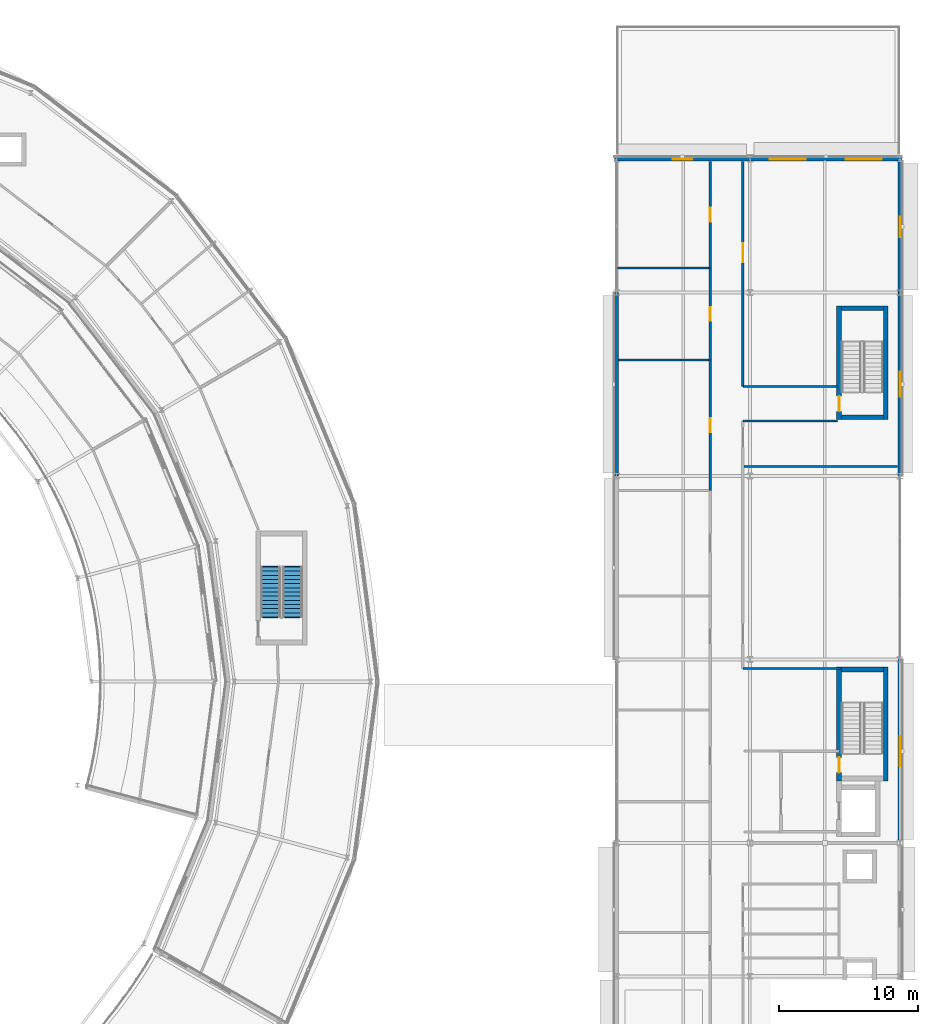
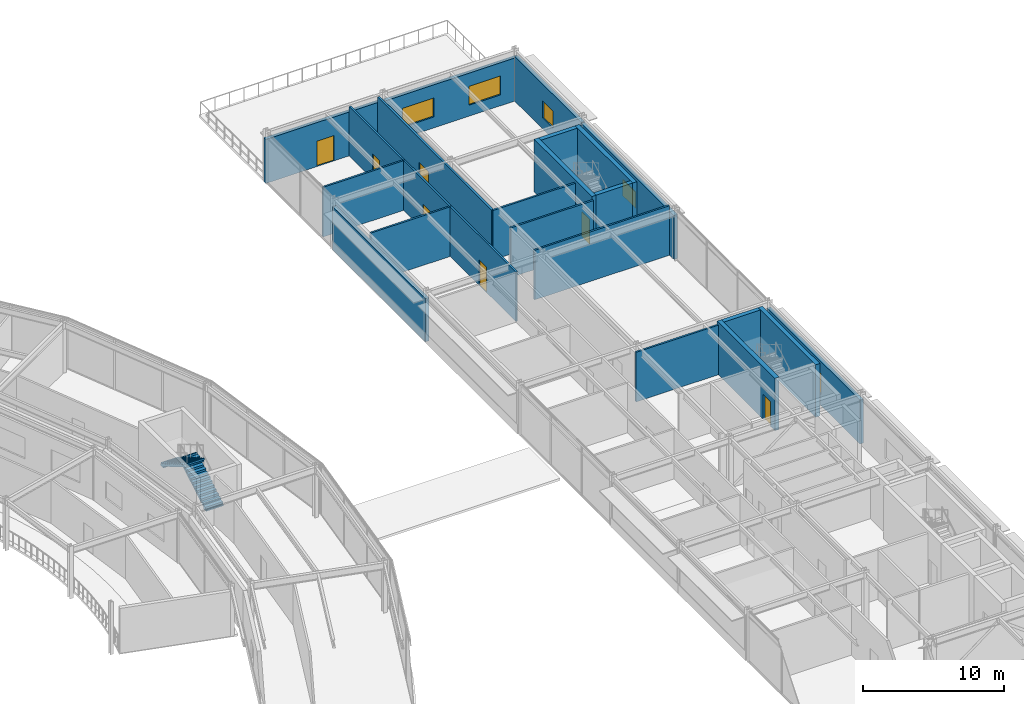
# One storey, part 110 of 133: 23 walls, 7 doors, 5 windows, 2 stair flights, 12 openings, 1 element without a shape of its own.
"""IFC4 building model written with IfcOpenShell, lengths in metres."""

from ifc_helpers import new_model, si_unit, direction, frame, frame_2d, origin, place, context, subcontext, project, spatial, polyline, rectangle, outline, extrude, material, layer, layer_set, type_object, element, fill, aggregate, save


model = new_model("IFC4")

# Units and contexts
model_context = context("Model", 3, precision=1e-05, world=origin(), true_north=direction((0.0, 1.0)))
body_context = subcontext(model_context, "Body", "Model", "MODEL_VIEW")
ifc_project = project(units=[si_unit("LENGTHUNIT", "METRE"), si_unit("AREAUNIT", "SQUARE_METRE"), si_unit("VOLUMEUNIT", "CUBIC_METRE"), si_unit("PLANEANGLEUNIT", "RADIAN"), si_unit("MASSUNIT", "GRAM", prefix="KILO")], contexts=[model_context])

# Site, building, storey
site_placement = place(None, origin())
site = spatial("IfcSite", under=ifc_project, at=site_placement, CompositionType="ELEMENT")
building_placement = place(site_placement, origin())
building = spatial("IfcBuilding", under=site, at=building_placement, Name="Almandine Court Research Institute", CompositionType="ELEMENT")
storey_placement = place(building_placement, frame((0.0, 0.0, 9.800048828125)))
storey = spatial("IfcBuildingStorey", under=building, at=storey_placement, Name="L02", CompositionType="ELEMENT", Elevation=9.800048828125)

# Wall
ifc_material_1 = material(Name="Insulated Ochre Terracotta Rainscreen Wall", Category="masonry")
ifc_layer_1 = layer(ifc_material_1, 0.2900390625)
ifc_layer_set_1 = layer_set([ifc_layer_1], Name="Insulated Ochre Terracotta Rainscreen Wall")
wall_type_1 = type_object("IfcWallType", Name="Wall-EXT-TERR-290", PredefinedType="SOLIDWALL", material=ifc_layer_set_1)
wall_1_placement = place(storey_placement, frame((153.60009765625, 70.803955078125, 0.0), z_axis=(0.0, 0.0, 1.0), x_axis=(0.0, 1.0, 0.0)))
element("IfcWall", 1, at=wall_1_placement, inside=storey, type_object=wall_type_1, Name="L02 Wet Lab West Facade Wall 7", PredefinedType="SOLIDWALL", context=body_context, shape_type="SweptSolid", body=[
    extrude(rectangle(XDim=13.192138671875, YDim=0.2900390625, at=frame_2d((6.59619140625, 0.0))), origin(), (0.0, 0.0, 1.0), 3.741943359375),
])

# Wall, opening, door
wall_2_placement = place(storey_placement, frame((153.455078125, 93.60009765625, 0.0), z_axis=(0.0, 0.0, 1.0), x_axis=(1.0, 0.0, 0.0)))
wall_2 = element("IfcWall", 2, at=wall_2_placement, inside=storey, type_object=wall_type_1, Name="L02 Wet Lab North Wall 1", PredefinedType="SOLIDWALL", context=body_context, shape_type="SweptSolid", body=[
    extrude(rectangle(XDim=9.740966796875, YDim=0.2900390625, at=frame_2d((4.87060546875, 0.0))), origin(), (0.0, 0.0, 1.0), 3.81103515625),
])
opening_1_placement = place(wall_2_placement, frame((4.199951171875, 0.0, 0.0)))
opening_1 = element("IfcOpeningElement", 3, at=opening_1_placement, cuts=wall_2, Name="Opening TD-01", PredefinedType="OPENING", context=body_context, shape_type="SweptSolid", body=[
    extrude(rectangle(XDim=1.39990234375, YDim=2.199951171875, at=frame_2d((0.699951171875, 1.10009765625))), frame((0.0, 0.155029296875, 0.0), z_axis=(0.0, -1.0, 0.0), x_axis=(1.0, 0.0, 0.0)), (0.0, 0.0, 1.0), 0.31005859375),
])
ifc_material_2 = material(Name="Thermally Broken Glazed Terrace Door")
door_type_1 = type_object("IfcDoorType", Name="Door-TER-1400", OperationType="DOUBLE_DOOR_SINGLE_SWING", PredefinedType="DOOR", material=ifc_material_2)
door_1_placement = place(opening_1_placement, origin())
door_1 = element("IfcDoor", 4, at=door_1_placement, inside=storey, type_object=door_type_1, Name="L02 Wet Lab North Roof Garden Door", OperationType="DOUBLE_DOOR_SINGLE_SWING", OverallHeight=2.199951171875, OverallWidth=1.39990234375, PredefinedType="DOOR", context=body_context, shape_type="SweptSolid", body=[
    extrude(rectangle(XDim=1.39990234375, YDim=2.199951171875, at=frame_2d((0.699951171875, 1.10009765625))), frame((0.0, 0.02490234375, 0.0), z_axis=(0.0, -1.0, 0.0), x_axis=(1.0, 0.0, 0.0)), (0.0, 0.0, 1.0), 0.050048828125),
])
fill(opening_1, door_1)

# Wall, openings, windows
wall_3_placement = place(storey_placement, frame((163.2041015625, 93.60009765625, 0.0), z_axis=(0.0, 0.0, 1.0), x_axis=(1.0, 0.0, 0.0)))
wall_3 = element("IfcWall", 5, at=wall_3_placement, inside=storey, type_object=wall_type_1, Name="L02 Wet Lab North Wall 2", PredefinedType="SOLIDWALL", context=body_context, shape_type="SweptSolid", body=[
    extrude(rectangle(XDim=10.94091796875, YDim=0.2900390625, at=frame_2d((5.470458984375, 0.0))), origin(), (0.0, 0.0, 1.0), 3.73291015625),
])
opening_2_placement = place(wall_3_placement, frame((1.43994140625, 0.0, 0.949951171875)))
opening_2 = element("IfcOpeningElement", 6, at=opening_2_placement, cuts=wall_3, Name="Opening WN-72", PredefinedType="OPENING", context=body_context, shape_type="SweptSolid", body=[
    extrude(rectangle(XDim=2.590087890625, YDim=1.639892578125, at=frame_2d((1.294921875, 0.81982421875))), frame((0.0, 0.155029296875, 0.0), z_axis=(0.0, -1.0, 0.0), x_axis=(1.0, 0.0, 0.0)), (0.0, 0.0, 1.0), 0.31005859375),
])
opening_3_placement = place(wall_3_placement, frame((6.910888671875, 0.0, 0.949951171875)))
opening_3 = element("IfcOpeningElement", 7, at=opening_3_placement, cuts=wall_3, Name="Opening WN-72", PredefinedType="OPENING", context=body_context, shape_type="SweptSolid", body=[
    extrude(rectangle(XDim=2.590087890625, YDim=1.639892578125, at=frame_2d((1.294921875, 0.81982421875))), frame((0.0, 0.155029296875, 0.0), z_axis=(0.0, -1.0, 0.0), x_axis=(1.0, 0.0, 0.0)), (0.0, 0.0, 1.0), 0.31005859375),
])
ifc_material_3 = material(Name="Thermally Broken Low-E Double-Glazed Window", Category="glass")
window_type_1 = type_object("IfcWindowType", Name="Win-WN-72-2590x1640", PartitioningType="SINGLE_PANEL", PredefinedType="WINDOW", material=ifc_material_3)
window_1_placement = place(opening_2_placement, origin())
window_1 = element("IfcWindow", 8, at=window_1_placement, inside=storey, type_object=window_type_1, Name="L02 Modular Recessed Low-E Window 102", OverallHeight=1.639892578125, OverallWidth=2.590087890625, PartitioningType="SINGLE_PANEL", PredefinedType="WINDOW", context=body_context, shape_type="SweptSolid", body=[
    extrude(rectangle(XDim=2.590087890625, YDim=1.639892578125, at=frame_2d((1.294921875, 0.81982421875))), frame((0.0, 0.030029296875, 0.0), z_axis=(0.0, -1.0, 0.0), x_axis=(1.0, 0.0, 0.0)), (0.0, 0.0, 1.0), 0.06005859375),
])
fill(opening_2, window_1)
window_2_placement = place(opening_3_placement, origin())
window_2 = element("IfcWindow", 9, at=window_2_placement, inside=storey, type_object=window_type_1, Name="L02 Modular Recessed Low-E Window 103", OverallHeight=1.639892578125, OverallWidth=2.590087890625, PartitioningType="SINGLE_PANEL", PredefinedType="WINDOW", context=body_context, shape_type="SweptSolid", body=[
    extrude(rectangle(XDim=2.590087890625, YDim=1.639892578125, at=frame_2d((1.294921875, 0.81982421875))), frame((0.0, 0.030029296875, 0.0), z_axis=(0.0, -1.0, 0.0), x_axis=(1.0, 0.0, 0.0)), (0.0, 0.0, 1.0), 0.06005859375),
])
fill(opening_3, window_2)

# Wall, opening, window
wall_4_placement = place(storey_placement, frame((174.0, 93.450927734375, 0.0), z_axis=(0.0, 0.0, 1.0), x_axis=(0.0, -1.0, 0.0)))
wall_4 = element("IfcWall", 10, at=wall_4_placement, inside=storey, type_object=wall_type_1, Name="L02 Wet Lab East Facade Wall 8", PredefinedType="SOLIDWALL", context=body_context, shape_type="SweptSolid", body=[
    extrude(rectangle(XDim=9.447021484375, YDim=0.2900390625, at=frame_2d((4.7236328125, 0.0))), origin(), (0.0, 0.0, 1.0), 3.884033203125),
])
opening_4_placement = place(wall_4_placement, frame((3.97802734375, 0.0, 0.949951171875)))
opening_4 = element("IfcOpeningElement", 11, at=opening_4_placement, cuts=wall_4, Name="Opening WN-73", PredefinedType="OPENING", context=body_context, shape_type="SweptSolid", body=[
    extrude(rectangle(XDim=1.489990234375, YDim=1.47998046875, at=frame_2d((0.7451171875, 0.739990234375))), frame((0.0, 0.155029296875, 0.0), z_axis=(0.0, -1.0, 0.0), x_axis=(1.0, 0.0, 0.0)), (0.0, 0.0, 1.0), 0.31005859375),
])
window_type_2 = type_object("IfcWindowType", Name="Win-WN-73-1490x1480", PartitioningType="SINGLE_PANEL", PredefinedType="WINDOW", material=ifc_material_3)
window_3_placement = place(opening_4_placement, origin())
window_3 = element("IfcWindow", 12, at=window_3_placement, inside=storey, type_object=window_type_2, Name="L02 Modular Recessed Low-E Window 104", OverallHeight=1.47998046875, OverallWidth=1.489990234375, PartitioningType="SINGLE_PANEL", PredefinedType="WINDOW", context=body_context, shape_type="SweptSolid", body=[
    extrude(rectangle(XDim=1.489990234375, YDim=1.47998046875, at=frame_2d((0.7451171875, 0.739990234375))), frame((0.0, 0.030029296875, 0.0), z_axis=(0.0, -1.0, 0.0), x_axis=(1.0, 0.0, 0.0)), (0.0, 0.0, 1.0), 0.06005859375),
])
fill(opening_4, window_3)

wall_5_placement = place(storey_placement, frame((174.0, 83.99609375, 0.0), z_axis=(0.0, 0.0, 1.0), x_axis=(0.0, -1.0, 0.0)))
wall_5 = element("IfcWall", 13, at=wall_5_placement, inside=storey, type_object=wall_type_1, Name="L02 Wet Lab East Facade Wall 7", PredefinedType="SOLIDWALL", context=body_context, shape_type="SweptSolid", body=[
    extrude(rectangle(XDim=13.192138671875, YDim=0.2900390625, at=frame_2d((6.59619140625, 0.0))), origin(), (0.0, 0.0, 1.0), 3.81396484375),
])
opening_5_placement = place(wall_5_placement, frame((5.68603515625, 0.0, 0.949951171875)))
opening_5 = element("IfcOpeningElement", 14, at=opening_5_placement, cuts=wall_5, Name="Opening WN-09", PredefinedType="OPENING", context=body_context, shape_type="SweptSolid", body=[
    extrude(rectangle(XDim=1.820068359375, YDim=1.39990234375, at=frame_2d((0.91015625, 0.699951171875))), frame((0.0, 0.155029296875, 0.0), z_axis=(0.0, -1.0, 0.0), x_axis=(1.0, 0.0, 0.0)), (0.0, 0.0, 1.0), 0.31005859375),
])
window_type_3 = type_object("IfcWindowType", Name="Win-WN-09-1820x1400", PartitioningType="SINGLE_PANEL", PredefinedType="WINDOW", material=ifc_material_3)
window_4_placement = place(opening_5_placement, origin())
window_4 = element("IfcWindow", 15, at=window_4_placement, inside=storey, type_object=window_type_3, Name="L02 Modular Recessed Low-E Window 105", OverallHeight=1.39990234375, OverallWidth=1.820068359375, PartitioningType="SINGLE_PANEL", PredefinedType="WINDOW", context=body_context, shape_type="SweptSolid", body=[
    extrude(rectangle(XDim=1.820068359375, YDim=1.39990234375, at=frame_2d((0.91015625, 0.699951171875))), frame((0.0, 0.030029296875, 0.0), z_axis=(0.0, -1.0, 0.0), x_axis=(1.0, 0.0, 0.0)), (0.0, 0.0, 1.0), 0.06005859375),
])
fill(opening_5, window_4)

wall_6_placement = place(storey_placement, frame((174.0, 57.595947265625, 0.0), z_axis=(0.0, 0.0, 1.0), x_axis=(0.0, -1.0, 0.0)))
wall_6 = element("IfcWall", 16, at=wall_6_placement, inside=storey, type_object=wall_type_1, Name="L02 Wet Lab East Facade Wall 5", PredefinedType="SOLIDWALL", context=body_context, shape_type="SweptSolid", body=[
    extrude(rectangle(XDim=13.19189453125, YDim=0.2900390625, at=frame_2d((6.595947265625, 0.0))), origin(), (0.0, 0.0, 1.0), 3.81396484375),
])
opening_6_placement = place(wall_6_placement, frame((5.52099609375, 0.0, 0.949951171875)))
opening_6 = element("IfcOpeningElement", 17, at=opening_6_placement, cuts=wall_6, Name="Opening WN-10", PredefinedType="OPENING", context=body_context, shape_type="SweptSolid", body=[
    extrude(rectangle(XDim=2.14990234375, YDim=1.800048828125, at=frame_2d((1.074951171875, 0.89990234375))), frame((0.0, 0.155029296875, 0.0), z_axis=(0.0, -1.0, 0.0), x_axis=(1.0, 0.0, 0.0)), (0.0, 0.0, 1.0), 0.31005859375),
])
window_type_4 = type_object("IfcWindowType", Name="Win-WN-10-2150x1800", PartitioningType="SINGLE_PANEL", PredefinedType="WINDOW", material=ifc_material_3)
window_5_placement = place(opening_6_placement, origin())
window_5 = element("IfcWindow", 18, at=window_5_placement, inside=storey, type_object=window_type_4, Name="L02 Modular Recessed Low-E Window 106", OverallHeight=1.800048828125, OverallWidth=2.14990234375, PartitioningType="SINGLE_PANEL", PredefinedType="WINDOW", context=body_context, shape_type="SweptSolid", body=[
    extrude(rectangle(XDim=2.14990234375, YDim=1.800048828125, at=frame_2d((1.074951171875, 0.89990234375))), frame((0.0, 0.030029296875, 0.0), z_axis=(0.0, -1.0, 0.0), x_axis=(1.0, 0.0, 0.0)), (0.0, 0.0, 1.0), 0.06005859375),
])
fill(opening_6, window_5)

# Wall, opening, door
ifc_material_4 = material(Name="One-Hour Fire-Rated Laboratory Partition")
ifc_layer_2 = layer(ifc_material_4, 0.175048828125)
ifc_layer_set_2 = layer_set([ifc_layer_2], Name="One-Hour Fire-Rated Laboratory Partition")
wall_type_2 = type_object("IfcWallType", Name="Wall-FIRE-175", PredefinedType="PARTITIONING", material=ifc_layer_set_2)
wall_7_placement = place(storey_placement, frame((162.699951171875, 77.25, 0.0), z_axis=(0.0, 0.0, 1.0), x_axis=(0.0, 1.0, 0.0)))
wall_7 = element("IfcWall", 19, at=wall_7_placement, inside=storey, type_object=wall_type_2, Name="L02 Interior Partition W-V4-L02-EW-N2", PredefinedType="PARTITIONING", context=body_context, shape_type="SweptSolid", body=[
    extrude(rectangle(XDim=16.18994140625, YDim=0.175048828125, at=frame_2d((8.094970703125, 0.0))), origin(), (0.0, 0.0, 1.0), 4.300048828125),
])
opening_7_placement = place(wall_7_placement, frame((8.949951171875, 0.0, 0.0)))
opening_7 = element("IfcOpeningElement", 20, at=opening_7_placement, cuts=wall_7, Name="Opening FD-LB2", PredefinedType="OPENING", context=body_context, shape_type="SweptSolid", body=[
    extrude(rectangle(XDim=1.35009765625, YDim=2.199951171875, at=frame_2d((0.675048828125, 1.10009765625))), frame((0.0, 0.097412109375, 0.0), z_axis=(0.0, -1.0, 0.0), x_axis=(1.0, 0.0, 0.0)), (0.0, 0.0, 1.0), 0.195068359375),
])
ifc_material_5 = material(Name="Wide Fire-Rated Cleanroom and Lab Door")
door_type_2 = type_object("IfcDoorType", Name="Door-FD-LAB-1350", OperationType="NOTDEFINED", PredefinedType="DOOR", material=ifc_material_5)
door_2_placement = place(opening_7_placement, origin())
door_2 = element("IfcDoor", 21, at=door_2_placement, inside=storey, type_object=door_type_2, Name="L02 East BSL-2 Lab Door", OperationType="SINGLE_SWING_LEFT", OverallHeight=2.199951171875, OverallWidth=1.35009765625, PredefinedType="DOOR", context=body_context, shape_type="SweptSolid", body=[
    extrude(rectangle(XDim=1.35009765625, YDim=2.199951171875, at=frame_2d((0.675048828125, 1.10009765625))), frame((0.0, 0.02490234375, 0.0), z_axis=(0.0, -1.0, 0.0), x_axis=(1.0, 0.0, 0.0)), (0.0, 0.0, 1.0), 0.050048828125),
])
fill(opening_7, door_2)

ifc_material_6 = material(Name="Acoustic Steel-Stud Gypsum Partition Wall", Category="steel")
ifc_layer_3 = layer(ifc_material_6, 0.14990234375)
ifc_layer_set_3 = layer_set([ifc_layer_3], Name="Acoustic Steel-Stud Gypsum Partition Wall")
wall_type_3 = type_object("IfcWallType", Name="Wall-PART-150", PredefinedType="PARTITIONING", material=ifc_layer_set_3)
wall_8_placement = place(storey_placement, frame((160.35009765625, 69.760009765625, 0.0), z_axis=(0.0, 0.0, 1.0), x_axis=(0.0, 1.0, 0.0)))
wall_8 = element("IfcWall", 22, at=wall_8_placement, inside=storey, type_object=wall_type_3, Name="L02 Interior Partition W-V4-L02-WW-8", PredefinedType="PARTITIONING", context=body_context, shape_type="SweptSolid", body=[
    extrude(rectangle(XDim=9.39990234375, YDim=0.14990234375, at=frame_2d((4.699951171875, 0.0))), origin(), (0.0, 0.0, 1.0), 4.300048828125),
])
opening_8_placement = place(wall_8_placement, frame((4.199951171875, 0.0, 0.0)))
opening_8 = element("IfcOpeningElement", 23, at=opening_8_placement, cuts=wall_8, Name="Opening D-02", PredefinedType="OPENING", context=body_context, shape_type="SweptSolid", body=[
    extrude(rectangle(XDim=1.0, YDim=2.199951171875, at=frame_2d((0.5, 1.10009765625))), frame((0.0, 0.0849609375, 0.0), z_axis=(0.0, -1.0, 0.0), x_axis=(1.0, 0.0, 0.0)), (0.0, 0.0, 1.0), 0.169921875),
])
ifc_material_7 = material(Name="Solid-Core Timber Researcher Office Door", Category="wood")
door_type_3 = type_object("IfcDoorType", Name="Door-INT-1000", OperationType="NOTDEFINED", PredefinedType="DOOR", material=ifc_material_7)
door_3_placement = place(opening_8_placement, origin())
door_3 = element("IfcDoor", 24, at=door_3_placement, inside=storey, type_object=door_type_3, Name="L02 Seminar Room Door", OperationType="SINGLE_SWING_RIGHT", OverallHeight=2.199951171875, OverallWidth=1.0, PredefinedType="DOOR", context=body_context, shape_type="SweptSolid", body=[
    extrude(rectangle(XDim=1.0, YDim=2.199951171875, at=frame_2d((0.5, 1.10009765625))), frame((0.0, 0.02490234375, 0.0), z_axis=(0.0, -1.0, 0.0), x_axis=(1.0, 0.0, 0.0)), (0.0, 0.0, 1.0), 0.050048828125),
])
fill(opening_8, door_3)

# Wall
wall_9_placement = place(storey_placement, frame((153.760009765625, 79.159912109375, 0.0), z_axis=(0.0, 0.0, 1.0), x_axis=(1.0, 0.0, 0.0)))
element("IfcWall", 25, at=wall_9_placement, inside=storey, type_object=wall_type_3, Name="L02 Interior Partition W-V4-L02-WDIV-8", PredefinedType="PARTITIONING", context=body_context, shape_type="SweptSolid", body=[
    extrude(rectangle(XDim=6.510009765625, YDim=0.14990234375, at=frame_2d((3.2548828125, 0.0))), origin(), (0.0, 0.0, 1.0), 4.300048828125),
])

# Wall, opening, door
wall_10_placement = place(storey_placement, frame((160.35009765625, 79.159912109375, 0.0), z_axis=(0.0, 0.0, 1.0), x_axis=(0.0, 1.0, 0.0)))
wall_10 = element("IfcWall", 26, at=wall_10_placement, inside=storey, type_object=wall_type_3, Name="L02 Interior Partition W-V4-L02-WW-9", PredefinedType="PARTITIONING", context=body_context, shape_type="SweptSolid", body=[
    extrude(rectangle(XDim=6.60009765625, YDim=0.14990234375, at=frame_2d((3.300048828125, 0.0))), origin(), (0.0, 0.0, 1.0), 4.300048828125),
])
opening_9_placement = place(wall_10_placement, frame((2.800048828125, 0.0, 0.0)))
opening_9 = element("IfcOpeningElement", 27, at=opening_9_placement, cuts=wall_10, Name="Opening D-02", PredefinedType="OPENING", context=body_context, shape_type="SweptSolid", body=[
    extrude(rectangle(XDim=1.0, YDim=2.199951171875, at=frame_2d((0.5, 1.10009765625))), frame((0.0, 0.0849609375, 0.0), z_axis=(0.0, -1.0, 0.0), x_axis=(1.0, 0.0, 0.0)), (0.0, 0.0, 1.0), 0.169921875),
])
door_4_placement = place(opening_9_placement, origin())
door_4 = element("IfcDoor", 28, at=door_4_placement, inside=storey, type_object=door_type_3, Name="L02 Instrument Room Door", OperationType="SINGLE_SWING_LEFT", OverallHeight=2.199951171875, OverallWidth=1.0, PredefinedType="DOOR", context=body_context, shape_type="SweptSolid", body=[
    extrude(rectangle(XDim=1.0, YDim=2.199951171875, at=frame_2d((0.5, 1.10009765625))), frame((0.0, 0.02490234375, 0.0), z_axis=(0.0, -1.0, 0.0), x_axis=(1.0, 0.0, 0.0)), (0.0, 0.0, 1.0), 0.050048828125),
])
fill(opening_9, door_4)

# Wall
wall_11_placement = place(storey_placement, frame((153.659912109375, 85.760009765625, 0.0), z_axis=(0.0, 0.0, 1.0), x_axis=(1.0, 0.0, 0.0)))
element("IfcWall", 29, at=wall_11_placement, inside=storey, type_object=wall_type_3, Name="L02 Interior Partition W-V4-L02-WDIV-9", PredefinedType="PARTITIONING", context=body_context, shape_type="SweptSolid", body=[
    extrude(rectangle(XDim=6.610107421875, YDim=0.14990234375, at=frame_2d((3.30517578125, 0.0))), origin(), (0.0, 0.0, 1.0), 4.300048828125),
])

# Wall, opening, door
wall_12_placement = place(storey_placement, frame((160.35009765625, 85.760009765625, 0.0), z_axis=(0.0, 0.0, 1.0), x_axis=(0.0, 1.0, 0.0)))
wall_12 = element("IfcWall", 30, at=wall_12_placement, inside=storey, type_object=wall_type_3, Name="L02 Interior Partition W-V4-L02-WW-10", PredefinedType="PARTITIONING", context=body_context, shape_type="SweptSolid", body=[
    extrude(rectangle(XDim=7.679931640625, YDim=0.14990234375, at=frame_2d((3.83984375, 0.0))), origin(), (0.0, 0.0, 1.0), 4.300048828125),
])
opening_10_placement = place(wall_12_placement, frame((3.340087890625, 0.0, 0.0)))
opening_10 = element("IfcOpeningElement", 31, at=opening_10_placement, cuts=wall_12, Name="Opening D-02", PredefinedType="OPENING", context=body_context, shape_type="SweptSolid", body=[
    extrude(rectangle(XDim=1.0, YDim=2.199951171875, at=frame_2d((0.5, 1.10009765625))), frame((0.0, 0.0849609375, 0.0), z_axis=(0.0, -1.0, 0.0), x_axis=(1.0, 0.0, 0.0)), (0.0, 0.0, 1.0), 0.169921875),
])
door_5_placement = place(opening_10_placement, origin())
door_5 = element("IfcDoor", 32, at=door_5_placement, inside=storey, type_object=door_type_3, Name="L02 Write-up Office Door", OperationType="SINGLE_SWING_RIGHT", OverallHeight=2.199951171875, OverallWidth=1.0, PredefinedType="DOOR", context=body_context, shape_type="SweptSolid", body=[
    extrude(rectangle(XDim=1.0, YDim=2.199951171875, at=frame_2d((0.5, 1.10009765625))), frame((0.0, 0.02490234375, 0.0), z_axis=(0.0, -1.0, 0.0), x_axis=(1.0, 0.0, 0.0)), (0.0, 0.0, 1.0), 0.050048828125),
])
fill(opening_10, door_5)

# Walls
wall_13_placement = place(storey_placement, frame((162.699951171875, 56.949951171875, 0.0), z_axis=(0.0, 0.0, 1.0), x_axis=(1.0, 0.0, 0.0)))
element("IfcWall", 33, at=wall_13_placement, inside=storey, type_object=wall_type_3, Name="L02 Interior Partition W-V4-L02-ES-N1", PredefinedType="PARTITIONING", context=body_context, shape_type="SweptSolid", body=[
    extrude(rectangle(XDim=7.10009765625, YDim=0.14990234375, at=frame_2d((3.550048828125, 0.0))), origin(), (0.0, 0.0, 1.0), 4.300048828125),
])
for number, where, z_axis, x_axis, name in (
    (34, (162.699951171875, 74.75, 0.0), (0.0, 0.0, 1.0), (1.0, 0.0, 0.0), "L02 Interior Partition W-V4-L02-ST13S"),
    (35, (162.699951171875, 77.25, 0.0), (0.0, 0.0, 1.0), (1.0, 0.0, 0.0), "L02 Interior Partition W-V4-L02-ST13N"),
):
    element("IfcWall", number, at=place(storey_placement, frame(where, z_axis=z_axis, x_axis=x_axis)), inside=storey, type_object=wall_type_3, Name=name, PredefinedType="PARTITIONING", context=body_context, shape_type="SweptSolid", body=[
        extrude(rectangle(XDim=6.800048828125, YDim=0.14990234375, at=frame_2d((3.39990234375, 0.0))), origin(), (0.0, 0.0, 1.0), 4.300048828125),
    ])
wall_14_placement = place(storey_placement, frame((162.7900390625, 71.5, 0.0), z_axis=(0.0, 0.0, 1.0), x_axis=(1.0, 0.0, 0.0)))
element("IfcWall", 36, at=wall_14_placement, inside=storey, type_object=wall_type_3, Name="L02 Interior Partition W-V4-L02-EDIV-N", PredefinedType="PARTITIONING", context=body_context, shape_type="SweptSolid", body=[
    extrude(rectangle(XDim=11.050048828125, YDim=0.14990234375, at=frame_2d((5.52490234375, 0.0))), origin(), (0.0, 0.0, 1.0), 4.300048828125),
])

# Wall, opening, door
ifc_material_8 = material(Name="Concrete C40/50", Category="concrete")
ifc_layer_4 = layer(ifc_material_8, 0.35009765625)
ifc_layer_set_4 = layer_set([ifc_layer_4], Name="Concrete C40/50")
wall_type_4 = type_object("IfcWallType", Name="Wall-SW-CORE-350", PredefinedType="SHEAR", material=ifc_layer_set_4)
wall_15_placement = place(storey_placement, frame((169.625, 48.85009765625, 0.0), z_axis=(0.0, 0.0, 1.0), x_axis=(0.0, 1.0, 0.0)))
wall_15 = element("IfcWall", 37, at=wall_15_placement, inside=storey, type_object=wall_type_4, Name="L02 ST-08 W Shear Wall", PredefinedType="SHEAR", context=body_context, shape_type="SweptSolid", body=[
    extrude(rectangle(XDim=8.199951171875, YDim=0.35009765625, at=frame_2d((4.10009765625, 0.0))), origin(), (0.0, 0.0, 1.0), 4.550048828125),
])
opening_11_placement = place(wall_15_placement, frame((0.60009765625, 0.0, 0.0)))
opening_11 = element("IfcOpeningElement", 38, at=opening_11_placement, cuts=wall_15, Name="Opening FD-STAIR", PredefinedType="OPENING", context=body_context, shape_type="SweptSolid", body=[
    extrude(rectangle(XDim=1.10009765625, YDim=2.14990234375, at=frame_2d((0.550048828125, 1.074951171875))), frame((0.0, 0.18505859375, 0.0), z_axis=(0.0, -1.0, 0.0), x_axis=(1.0, 0.0, 0.0)), (0.0, 0.0, 1.0), 0.3701171875),
])
ifc_material_9 = material(Name="Self-Closing Steel Exit Stair Fire Door", Category="steel")
door_type_4 = type_object("IfcDoorType", Name="Door-FD-STAIR-1100", OperationType="NOTDEFINED", PredefinedType="DOOR", material=ifc_material_9)
door_6_placement = place(opening_11_placement, origin())
door_6 = element("IfcDoor", 39, at=door_6_placement, inside=storey, type_object=door_type_4, Name="L02 Exit Stair ST-08 Fire Door", OperationType="SINGLE_SWING_LEFT", OverallHeight=2.14990234375, OverallWidth=1.10009765625, PredefinedType="DOOR", context=body_context, shape_type="SweptSolid", body=[
    extrude(rectangle(XDim=1.10009765625, YDim=2.14990234375, at=frame_2d((0.550048828125, 1.074951171875))), frame((0.0, 0.02490234375, 0.0), z_axis=(0.0, -1.0, 0.0), x_axis=(1.0, 0.0, 0.0)), (0.0, 0.0, 1.0), 0.050048828125),
])
fill(opening_11, door_6)

# Walls
wall_16_placement = place(storey_placement, frame((169.800048828125, 56.875, 0.0), z_axis=(0.0, 0.0, 1.0), x_axis=(1.0, 0.0, 0.0)))
element("IfcWall", 40, at=wall_16_placement, inside=storey, type_object=wall_type_4, Name="L02 ST-08 N Shear Wall", PredefinedType="SHEAR", context=body_context, shape_type="SweptSolid", body=[
    extrude(rectangle(XDim=3.0, YDim=0.35009765625, at=frame_2d((1.5, 0.0))), origin(), (0.0, 0.0, 1.0), 4.550048828125),
])
wall_17_placement = place(storey_placement, frame((172.97509765625, 57.050048828125, 0.0), z_axis=(0.0, 0.0, 1.0), x_axis=(0.0, -1.0, 0.0)))
element("IfcWall", 41, at=wall_17_placement, inside=storey, type_object=wall_type_4, Name="L02 ST-08 E Shear Wall", PredefinedType="SHEAR", context=body_context, shape_type="SweptSolid", body=[
    extrude(rectangle(XDim=8.199951171875, YDim=0.35009765625, at=frame_2d((4.10009765625, 0.0))), origin(), (0.0, 0.0, 1.0), 4.550048828125),
])

# Wall, opening, door
wall_18_placement = place(storey_placement, frame((169.625, 74.85009765625, 0.0), z_axis=(0.0, 0.0, 1.0), x_axis=(0.0, 1.0, 0.0)))
wall_18 = element("IfcWall", 42, at=wall_18_placement, inside=storey, type_object=wall_type_4, Name="L02 ST-13 W Shear Wall", PredefinedType="SHEAR", context=body_context, shape_type="SweptSolid", body=[
    extrude(rectangle(XDim=8.199951171875, YDim=0.35009765625, at=frame_2d((4.10009765625, 0.0))), origin(), (0.0, 0.0, 1.0), 4.550048828125),
])
opening_12_placement = place(wall_18_placement, frame((0.60009765625, 0.0, 0.0)))
opening_12 = element("IfcOpeningElement", 43, at=opening_12_placement, cuts=wall_18, Name="Opening FD-STAIR", PredefinedType="OPENING", context=body_context, shape_type="SweptSolid", body=[
    extrude(rectangle(XDim=1.10009765625, YDim=2.14990234375, at=frame_2d((0.550048828125, 1.074951171875))), frame((0.0, 0.18505859375, 0.0), z_axis=(0.0, -1.0, 0.0), x_axis=(1.0, 0.0, 0.0)), (0.0, 0.0, 1.0), 0.3701171875),
])
door_7_placement = place(opening_12_placement, origin())
door_7 = element("IfcDoor", 44, at=door_7_placement, inside=storey, type_object=door_type_4, Name="L02 Exit Stair ST-13 Fire Door", OperationType="SINGLE_SWING_RIGHT", OverallHeight=2.14990234375, OverallWidth=1.10009765625, PredefinedType="DOOR", context=body_context, shape_type="SweptSolid", body=[
    extrude(rectangle(XDim=1.10009765625, YDim=2.14990234375, at=frame_2d((0.550048828125, 1.074951171875))), frame((0.0, 0.02490234375, 0.0), z_axis=(0.0, -1.0, 0.0), x_axis=(1.0, 0.0, 0.0)), (0.0, 0.0, 1.0), 0.050048828125),
])
fill(opening_12, door_7)

# Walls
wall_19_placement = place(storey_placement, frame((169.800048828125, 82.875, 0.0), z_axis=(0.0, 0.0, 1.0), x_axis=(1.0, 0.0, 0.0)))
element("IfcWall", 45, at=wall_19_placement, inside=storey, type_object=wall_type_4, Name="L02 ST-13 N Shear Wall", PredefinedType="SHEAR", context=body_context, shape_type="SweptSolid", body=[
    extrude(rectangle(XDim=3.0, YDim=0.35009765625, at=frame_2d((1.5, 0.0))), origin(), (0.0, 0.0, 1.0), 4.550048828125),
])
wall_20_placement = place(storey_placement, frame((172.97509765625, 83.050048828125, 0.0), z_axis=(0.0, 0.0, 1.0), x_axis=(0.0, -1.0, 0.0)))
element("IfcWall", 46, at=wall_20_placement, inside=storey, type_object=wall_type_4, Name="L02 ST-13 E Shear Wall", PredefinedType="SHEAR", context=body_context, shape_type="SweptSolid", body=[
    extrude(rectangle(XDim=8.199951171875, YDim=0.35009765625, at=frame_2d((4.10009765625, 0.0))), origin(), (0.0, 0.0, 1.0), 4.550048828125),
])
wall_21_placement = place(storey_placement, frame((172.800048828125, 75.02490234375, 0.0), z_axis=(0.0, 0.0, 1.0), x_axis=(-1.0, 0.0, 0.0)))
element("IfcWall", 47, at=wall_21_placement, inside=storey, type_object=wall_type_4, Name="L02 ST-13 S Shear Wall", PredefinedType="SHEAR", context=body_context, shape_type="SweptSolid", body=[
    extrude(rectangle(XDim=3.0, YDim=0.35009765625, at=frame_2d((1.5, 0.0))), origin(), (0.0, 0.0, 1.0), 4.550048828125),
])

# Stair, stair flights
ifc_material_10 = material(Name="Concrete C35/45", Category="concrete")
stair_type = type_object("IfcStairType", Name="Stair-Core-26R", PredefinedType="HALF_TURN_STAIR", material=ifc_material_10)
stair_placement = place(storey_placement, origin())
stair = element("IfcStair", 48, at=stair_placement, inside=storey, type_object=stair_type, Name="L02 Drum East Exit Stair", PredefinedType="HALF_TURN_STAIR")
stair_flight_type = type_object("IfcStairFlightType", Name="Flight-Core-26R", PredefinedType="STRAIGHT", material=ifc_material_10)
stair_flight_1_placement = place(storey_placement, frame((130.2900390625, 60.64990234375, 0.0), z_axis=(0.0, 0.0, 1.0), x_axis=(0.0, 1.0, 0.0)))
stair_flight_1 = element("IfcStairFlight", 49, at=stair_flight_1_placement, type_object=stair_flight_type, Name="ST-14 flight 1", NumberOfRisers=13, NumberOfTreads=12, PredefinedType="STRAIGHT", RiserHeight=0.175, TreadLength=0.3, context=body_context, shape_type="SweptSolid", body=[
    extrude(outline(polyline([(-0.080078125, -0.139892578125), (-0.080078125, 0.0), (0.0, 0.0), (0.0, 0.175048828125), (0.300048828125, 0.175048828125), (0.300048828125, 0.35009765625), (0.60009765625, 0.35009765625), (0.60009765625, 0.52490234375), (0.89990234375, 0.52490234375), (0.89990234375, 0.699951171875), (1.199951171875, 0.699951171875), (1.199951171875, 0.875), (1.5, 0.875), (1.5, 1.050048828125), (1.800048828125, 1.050048828125), (1.800048828125, 1.22509765625), (2.10009765625, 1.22509765625), (2.10009765625, 1.39990234375), (2.39990234375, 1.39990234375), (2.39990234375, 1.574951171875), (2.699951171875, 1.574951171875), (2.699951171875, 1.75), (3.0, 1.75), (3.0, 1.925048828125), (3.300048828125, 1.925048828125), (3.300048828125, 2.10009765625), (3.60009765625, 2.10009765625), (3.60009765625, 2.27490234375), (3.679931640625, 2.27490234375), (3.679931640625, 2.114990234375), (3.60009765625, 1.914794921875), (0.3173828125, 0.0), (0.3173828125, -0.139892578125), (-0.080078125, -0.139892578125)])), frame((0.0, 0.7099609375, 0.0), z_axis=(0.0, -1.0, 0.0), x_axis=(1.0, 0.0, 0.0)), (0.0, 0.0, 1.0), 1.419921875),
])
stair_flight_2_placement = place(storey_placement, frame((128.7099609375, 64.25, 2.27490234375), z_axis=(0.0, 0.0, 1.0), x_axis=(0.0, -1.0, 0.0)))
stair_flight_2 = element("IfcStairFlight", 50, at=stair_flight_2_placement, type_object=stair_flight_type, Name="ST-14 flight 2", NumberOfRisers=13, NumberOfTreads=12, PredefinedType="STRAIGHT", RiserHeight=0.175, TreadLength=0.3, context=body_context, shape_type="SweptSolid", body=[
    extrude(outline(polyline([(-0.080078125, -0.139892578125), (-0.080078125, 0.0), (0.0, 0.0), (0.0, 0.175048828125), (0.300048828125, 0.175048828125), (0.300048828125, 0.35009765625), (0.60009765625, 0.35009765625), (0.60009765625, 0.52490234375), (0.89990234375, 0.52490234375), (0.89990234375, 0.699951171875), (1.199951171875, 0.699951171875), (1.199951171875, 0.875), (1.5, 0.875), (1.5, 1.050048828125), (1.800048828125, 1.050048828125), (1.800048828125, 1.22509765625), (2.10009765625, 1.22509765625), (2.10009765625, 1.39990234375), (2.39990234375, 1.39990234375), (2.39990234375, 1.574951171875), (2.699951171875, 1.574951171875), (2.699951171875, 1.75), (3.0, 1.75), (3.0, 1.925048828125), (3.300048828125, 1.925048828125), (3.300048828125, 2.10009765625), (3.60009765625, 2.10009765625), (3.60009765625, 2.27490234375), (3.679931640625, 2.27490234375), (3.679931640625, 2.114990234375), (3.60009765625, 1.914794921875), (0.3173828125, 0.0), (0.3173828125, -0.139892578125), (-0.080078125, -0.139892578125)])), frame((0.0, 0.7099609375, 0.0), z_axis=(0.0, -1.0, 0.0), x_axis=(1.0, 0.0, 0.0)), (0.0, 0.0, 1.0), 1.419921875),
])
aggregate(stair, [stair_flight_1, stair_flight_2])

save(model, "model.ifc")
